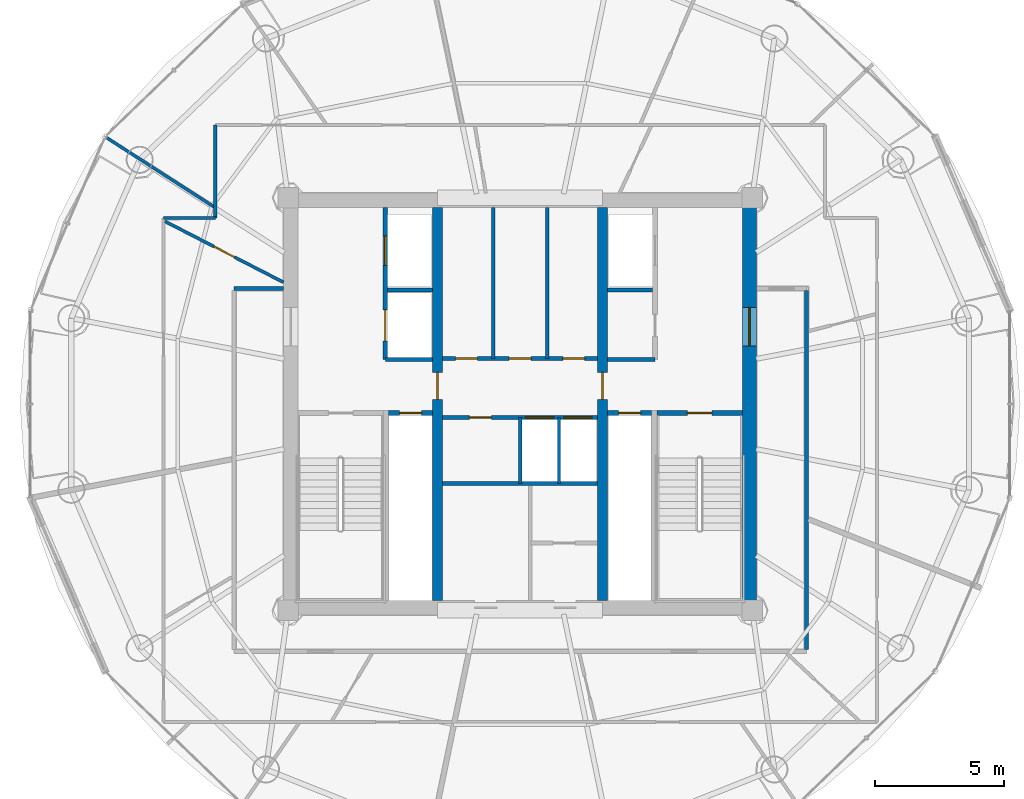
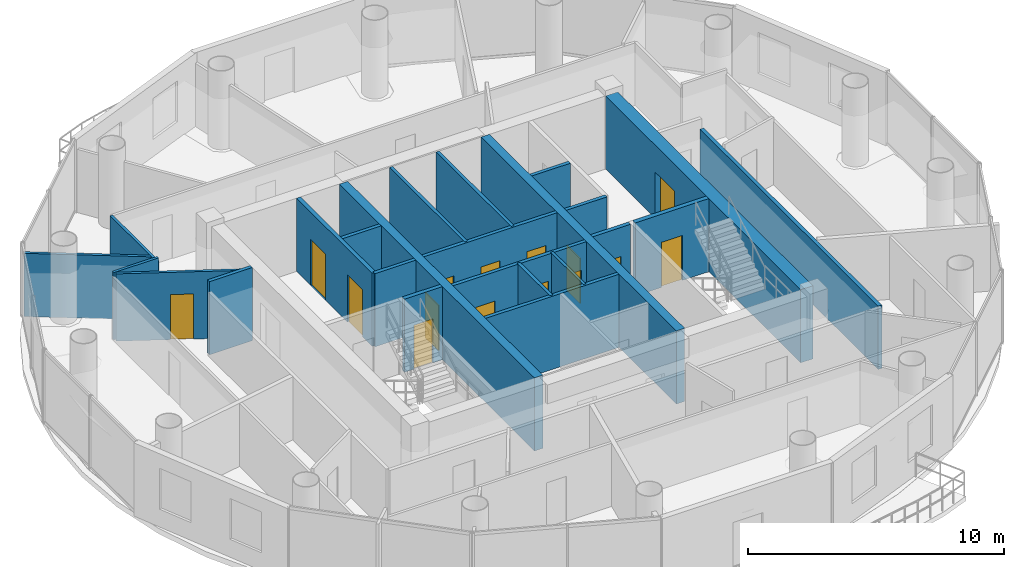
# One storey, part 18 of 23: 24 walls, 15 doors, 15 openings.
"""IFC4 building model written with IfcOpenShell, lengths in metres."""

from ifc_helpers import new_model, si_unit, direction, frame, frame_2d, origin, place, context, subcontext, project, spatial, rectangle, extrude, source, transform, mapped, material, layer, layer_set, type_object, element, fill, save


model = new_model("IFC4")

# Units and contexts
model_context = context("Model", 3, precision=1e-05, world=origin(), true_north=direction((-0.2419218956, 0.970295726276)))
body_context = subcontext(model_context, "Body", "Model", "MODEL_VIEW")
ifc_project = project(units=[si_unit("LENGTHUNIT", "METRE"), si_unit("AREAUNIT", "SQUARE_METRE"), si_unit("VOLUMEUNIT", "CUBIC_METRE"), si_unit("PLANEANGLEUNIT", "RADIAN"), si_unit("MASSUNIT", "GRAM", prefix="KILO")], contexts=[model_context])

# Site, building, storey
site_placement = place(None, origin())
site = spatial("IfcSite", under=ifc_project, at=site_placement, CompositionType="ELEMENT")
building_placement = place(site_placement, origin())
building = spatial("IfcBuilding", under=site, at=building_placement, Name="Cobrevalo Terracotta Tower", CompositionType="ELEMENT")
storey_placement = place(building_placement, frame((0.0, 0.0, 251.949951171875)))
storey = spatial("IfcBuildingStorey", under=building, at=storey_placement, Name="L66", CompositionType="ELEMENT", Elevation=251.949951171875)

# Wall, opening, door
ifc_material_1 = material(Name="Concrete C50", Category="concrete")
ifc_layer_1 = layer(ifc_material_1, 0.550048828125)
ifc_layer_set_1 = layer_set([ifc_layer_1], Name="Concrete C50")
wall_type_1 = type_object("IfcWallType", Name="Core shear wall 550 mm Concrete C50", PredefinedType="SHEAR", material=ifc_layer_set_1)
wall_1_placement = place(storey_placement, frame((46.89990234375, 19.175048828125, 0.0), z_axis=(0.0, 0.0, 1.0), x_axis=(0.0, 1.0, 0.0)))
wall_1 = element("IfcWall", 1, at=wall_1_placement, inside=storey, type_object=wall_type_1, Name="L66 east core shear wall", PredefinedType="SHEAR", context=body_context, shape_type="SweptSolid", body=[
    extrude(rectangle(XDim=15.25, YDim=0.550048828125, at=frame_2d((7.625, 0.0))), origin(), (0.0, 0.0, 1.0), 3.489990234375),
])
opening_1_placement = place(wall_1_placement, frame((9.875, 0.0, 0.0)))
opening_1 = element("IfcOpeningElement", 2, at=opening_1_placement, cuts=wall_1, Name="Opening ID-14", PredefinedType="OPENING", context=body_context, shape_type="SweptSolid", body=[
    extrude(rectangle(XDim=1.5, YDim=2.199951171875, at=frame_2d((0.75, 1.10009765625))), frame((0.0, 0.28515625, 0.0), z_axis=(0.0, -1.0, 0.0), x_axis=(1.0, 0.0, 0.0)), (0.0, 0.0, 1.0), 0.570068359375),
])
ifc_material_2 = material(Name="Galvanized fire-rated steel", Category="steel")
door_type_1 = type_object("IfcDoorType", Name="Core cross-lobby double fire door 1500x2200 EI 90", OperationType="NOTDEFINED", PredefinedType="DOOR", material=ifc_material_2)
shared_shape_1 = source(origin(), body_context, "Body", "SweptSolid", [
    extrude(rectangle(XDim=1.5, YDim=2.199951171875, at=frame_2d((0.75, 1.10009765625))), frame((0.0, 0.02490234375, 0.0), z_axis=(0.0, -1.0, 0.0), x_axis=(1.0, 0.0, 0.0)), (0.0, 0.0, 1.0), 0.050048828125),
])
door_1_placement = place(opening_1_placement, frame((1.5, 0.0, 0.0), z_axis=(0.0, 0.0, 1.0), x_axis=(-1.0, 0.0, 0.0)))
door_1 = element("IfcDoor", 3, at=door_1_placement, inside=storey, type_object=door_type_1, Name="L66 east firefighting lobby entrance door", OperationType="DOUBLE_DOOR_SINGLE_SWING", OverallHeight=2.199951171875, OverallWidth=1.5, PredefinedType="DOOR", context=body_context, shape_type="MappedRepresentation", body=[
    mapped(shared_shape_1, transform((0.0, 0.0, 0.0), scale=1.0)),
])
fill(opening_1, door_1)

# Walls
ifc_material_3 = material(Name="Gypsum board on steel stud", Category="steel")
ifc_layer_2 = layer(ifc_material_3, 0.159912109375)
ifc_layer_set_2 = layer_set([ifc_layer_2], Name="Gypsum board on steel stud")
wall_type_2 = type_object("IfcWallType", Name="Fire-rated corridor acoustic partition wall 160 mm", PredefinedType="PARTITIONING", material=ifc_layer_set_2)
wall_2_placement = place(storey_placement, frame((32.860107421875, 31.219970703125, 0.0), z_axis=(0.0, 0.0, 1.0), x_axis=(1.0, 0.0, 0.0)))
element("IfcWall", 4, at=wall_2_placement, inside=storey, type_object=wall_type_2, Name="L66 interior partition IW-L66-FF1-M", PredefinedType="PARTITIONING", context=body_context, shape_type="SweptSolid", body=[
    extrude(rectangle(XDim=1.75, YDim=0.159912109375, at=frame_2d((0.875, 0.0))), origin(), (0.0, 0.0, 1.0), 3.489990234375),
])
wall_3_placement = place(storey_placement, frame((32.77001953125, 28.52001953125, 0.0), z_axis=(0.0, 0.0, 1.0), x_axis=(1.0, 0.0, 0.0)))
element("IfcWall", 5, at=wall_3_placement, inside=storey, type_object=wall_type_2, Name="L66 interior partition IW-L66-FF1-S", PredefinedType="PARTITIONING", context=body_context, shape_type="SweptSolid", body=[
    extrude(rectangle(XDim=1.840087890625, YDim=0.159912109375, at=frame_2d((0.919921875, 0.0))), origin(), (0.0, 0.0, 1.0), 3.489990234375),
])
wall_4_placement = place(storey_placement, frame((41.389892578125, 31.219970703125, 0.0), z_axis=(0.0, 0.0, 1.0), x_axis=(1.0, 0.0, 0.0)))
element("IfcWall", 6, at=wall_4_placement, inside=storey, type_object=wall_type_2, Name="L66 interior partition IW-L66-FF2-M", PredefinedType="PARTITIONING", context=body_context, shape_type="SweptSolid", body=[
    extrude(rectangle(XDim=1.75, YDim=0.159912109375, at=frame_2d((0.875, 0.0))), origin(), (0.0, 0.0, 1.0), 3.489990234375),
])
wall_5_placement = place(storey_placement, frame((41.389892578125, 28.52001953125, 0.0), z_axis=(0.0, 0.0, 1.0), x_axis=(1.0, 0.0, 0.0)))
element("IfcWall", 7, at=wall_5_placement, inside=storey, type_object=wall_type_2, Name="L66 interior partition IW-L66-FF2-S", PredefinedType="PARTITIONING", context=body_context, shape_type="SweptSolid", body=[
    extrude(rectangle(XDim=1.840087890625, YDim=0.159912109375, at=frame_2d((0.919921875, 0.0))), origin(), (0.0, 0.0, 1.0), 3.489990234375),
])

# Wall, openings, doors
wall_6_placement = place(storey_placement, frame((34.989990234375, 28.56005859375, 0.0), z_axis=(0.0, 0.0, 1.0), x_axis=(1.0, 0.0, 0.0)))
wall_6 = element("IfcWall", 8, at=wall_6_placement, inside=storey, type_object=wall_type_2, Name="L66 interior partition IW-L66-LB-S", PredefinedType="PARTITIONING", context=body_context, shape_type="SweptSolid", body=[
    extrude(rectangle(XDim=6.02001953125, YDim=0.159912109375, at=frame_2d((3.010009765625, 0.0))), origin(), (0.0, 0.0, 1.0), 3.489990234375),
])
opening_2_placement = place(wall_6_placement, frame((0.5048828125, 0.0, 0.0)))
opening_2 = element("IfcOpeningElement", 9, at=opening_2_placement, cuts=wall_6, Name="Opening ID-22", PredefinedType="OPENING", context=body_context, shape_type="SweptSolid", body=[
    extrude(rectangle(XDim=0.85009765625, YDim=2.10009765625, at=frame_2d((0.425048828125, 1.050048828125))), frame((0.0, 0.08984375, 0.0), z_axis=(0.0, -1.0, 0.0), x_axis=(1.0, 0.0, 0.0)), (0.0, 0.0, 1.0), 0.179931640625),
])
opening_3_placement = place(wall_6_placement, frame((2.580078125, 0.0, 0.0)))
opening_3 = element("IfcOpeningElement", 10, at=opening_3_placement, cuts=wall_6, Name="Opening ID-07", PredefinedType="OPENING", context=body_context, shape_type="SweptSolid", body=[
    extrude(rectangle(XDim=0.860107421875, YDim=2.10009765625, at=frame_2d((0.43017578125, 1.050048828125))), frame((0.0, 0.08984375, 0.0), z_axis=(0.0, -1.0, 0.0), x_axis=(1.0, 0.0, 0.0)), (0.0, 0.0, 1.0), 0.179931640625),
])
opening_4_placement = place(wall_6_placement, frame((4.6650390625, 0.0, 0.0)))
opening_4 = element("IfcOpeningElement", 11, at=opening_4_placement, cuts=wall_6, Name="Opening ID-22", PredefinedType="OPENING", context=body_context, shape_type="SweptSolid", body=[
    extrude(rectangle(XDim=0.85009765625, YDim=2.10009765625, at=frame_2d((0.425048828125, 1.050048828125))), frame((0.0, 0.08984375, 0.0), z_axis=(0.0, -1.0, 0.0), x_axis=(1.0, 0.0, 0.0)), (0.0, 0.0, 1.0), 0.179931640625),
])
ifc_material_4 = material(Name="Powder-coated steel", Category="steel")
door_type_2 = type_object("IfcDoorType", Name="Riser shaft & meter closet fire access door 850x2100 EI 60", OperationType="NOTDEFINED", PredefinedType="DOOR", material=ifc_material_4)
shared_shape_2 = source(origin(), body_context, "Body", "SweptSolid", [
    extrude(rectangle(XDim=0.85009765625, YDim=2.10009765625, at=frame_2d((0.425048828125, 1.050048828125))), frame((0.0, 0.02490234375, 0.0), z_axis=(0.0, -1.0, 0.0), x_axis=(1.0, 0.0, 0.0)), (0.0, 0.0, 1.0), 0.050048828125),
])
door_2_placement = place(opening_2_placement, origin())
door_2 = element("IfcDoor", 12, at=door_2_placement, inside=storey, type_object=door_type_2, Name="L66 core service door Housekeeping Linen Store", OperationType="SINGLE_SWING_LEFT", OverallHeight=2.10009765625, OverallWidth=0.85009765625, PredefinedType="DOOR", context=body_context, shape_type="MappedRepresentation", body=[
    mapped(shared_shape_2, transform((0.0, 0.0, 0.0), scale=1.0)),
])
fill(opening_2, door_2)
door_3_placement = place(opening_4_placement, origin())
door_3 = element("IfcDoor", 13, at=door_3_placement, inside=storey, type_object=door_type_2, Name="L66 core service door Floor BMS Mechanical Plant", OperationType="SINGLE_SWING_LEFT", OverallHeight=2.10009765625, OverallWidth=0.85009765625, PredefinedType="DOOR", context=body_context, shape_type="MappedRepresentation", body=[
    mapped(shared_shape_2, transform((0.0, 0.0, 0.0), scale=1.0)),
])
fill(opening_4, door_3)
ifc_material_5 = material(Name="Fire-rated moisture-sealed timber", Category="wood")
door_type_3 = type_object("IfcDoorType", Name="Core & podium fire-rated accessible WC door 860x2100 EI 60", OperationType="NOTDEFINED", PredefinedType="DOOR", material=ifc_material_5)
shared_shape_3 = source(origin(), body_context, "Body", "SweptSolid", [
    extrude(rectangle(XDim=0.860107421875, YDim=2.10009765625, at=frame_2d((0.43017578125, 1.050048828125))), frame((0.0, 0.02490234375, 0.0), z_axis=(0.0, -1.0, 0.0), x_axis=(1.0, 0.0, 0.0)), (0.0, 0.0, 1.0), 0.050048828125),
])
door_4_placement = place(opening_3_placement, origin())
door_4 = element("IfcDoor", 14, at=door_4_placement, inside=storey, type_object=door_type_3, Name="L66 core service door Floor Service Toilet WC", OperationType="SINGLE_SWING_RIGHT", OverallHeight=2.10009765625, OverallWidth=0.860107421875, PredefinedType="DOOR", context=body_context, shape_type="MappedRepresentation", body=[
    mapped(shared_shape_3, transform((0.0, 0.0, 0.0), scale=1.0)),
])
fill(opening_3, door_4)

wall_7_placement = place(storey_placement, frame((34.989990234375, 26.280029296875, 0.0), z_axis=(0.0, 0.0, 1.0), x_axis=(1.0, 0.0, 0.0)))
wall_7 = element("IfcWall", 15, at=wall_7_placement, inside=storey, type_object=wall_type_2, Name="L66 interior partition IW-L66-MB-N", PredefinedType="PARTITIONING", context=body_context, shape_type="SweptSolid", body=[
    extrude(rectangle(XDim=6.02001953125, YDim=0.159912109375, at=frame_2d((3.010009765625, 0.0))), origin(), (0.0, 0.0, 1.0), 3.489990234375),
])
opening_5_placement = place(wall_7_placement, frame((1.044921875, 0.0, 0.0)))
opening_5 = element("IfcOpeningElement", 16, at=opening_5_placement, cuts=wall_7, Name="Opening ID-22", PredefinedType="OPENING", context=body_context, shape_type="SweptSolid", body=[
    extrude(rectangle(XDim=0.85009765625, YDim=2.10009765625, at=frame_2d((0.425048828125, 1.050048828125))), frame((0.0, 0.08984375, 0.0), z_axis=(0.0, -1.0, 0.0), x_axis=(1.0, 0.0, 0.0)), (0.0, 0.0, 1.0), 0.179931640625),
])
opening_6_placement = place(wall_7_placement, frame((3.215087890625, 0.0, 0.0)))
opening_6 = element("IfcOpeningElement", 17, at=opening_6_placement, cuts=wall_7, Name="Opening LD-01", PredefinedType="OPENING", context=body_context, shape_type="SweptSolid", body=[
    extrude(rectangle(XDim=1.10009765625, YDim=2.199951171875, at=frame_2d((0.550048828125, 1.10009765625))), frame((0.0, 0.08984375, 0.0), z_axis=(0.0, -1.0, 0.0), x_axis=(1.0, 0.0, 0.0)), (0.0, 0.0, 1.0), 0.179931640625),
])
opening_7_placement = place(wall_7_placement, frame((4.695068359375, 0.0, 0.0)))
opening_7 = element("IfcOpeningElement", 18, at=opening_7_placement, cuts=wall_7, Name="Opening LD-01", PredefinedType="OPENING", context=body_context, shape_type="SweptSolid", body=[
    extrude(rectangle(XDim=1.10009765625, YDim=2.199951171875, at=frame_2d((0.550048828125, 1.10009765625))), frame((0.0, 0.08984375, 0.0), z_axis=(0.0, -1.0, 0.0), x_axis=(1.0, 0.0, 0.0)), (0.0, 0.0, 1.0), 0.179931640625),
])
door_5_placement = place(opening_5_placement, frame((0.85009765625, 0.0, 0.0), z_axis=(0.0, 0.0, 1.0), x_axis=(-1.0, 0.0, 0.0)))
door_5 = element("IfcDoor", 19, at=door_5_placement, inside=storey, type_object=door_type_2, Name="L66 core room door High-Rise Core Linen and Equipment Store", OperationType="SINGLE_SWING_RIGHT", OverallHeight=2.10009765625, OverallWidth=0.85009765625, PredefinedType="DOOR", context=body_context, shape_type="MappedRepresentation", body=[
    mapped(shared_shape_2, transform((0.0, 0.0, 0.0), scale=1.0)),
])
fill(opening_5, door_5)
ifc_material_6 = material(Name="Brushed stainless steel", Category="steel")
door_type_4 = type_object("IfcDoorType", Name="Passenger lift landing bi-parting sliding door 1100x2200 EI 90", OperationType="DOUBLE_DOOR_SLIDING", PredefinedType="DOOR", material=ifc_material_6)
shared_shape_4 = source(origin(), body_context, "Body", "SweptSolid", [
    extrude(rectangle(XDim=1.10009765625, YDim=2.199951171875, at=frame_2d((0.550048828125, 1.10009765625))), frame((0.0, 0.02490234375, 0.0), z_axis=(0.0, -1.0, 0.0), x_axis=(1.0, 0.0, 0.0)), (0.0, 0.0, 1.0), 0.050048828125),
])
door_6_placement = place(opening_6_placement, origin())
door_6 = element("IfcDoor", 20, at=door_6_placement, inside=storey, type_object=door_type_4, Name="L66 lift landing door PL-H1", OperationType="DOUBLE_DOOR_SLIDING", OverallHeight=2.199951171875, OverallWidth=1.10009765625, PredefinedType="DOOR", context=body_context, shape_type="MappedRepresentation", body=[
    mapped(shared_shape_4, transform((0.0, 0.0, 0.0), scale=1.0)),
])
fill(opening_6, door_6)
door_7_placement = place(opening_7_placement, origin())
door_7 = element("IfcDoor", 21, at=door_7_placement, inside=storey, type_object=door_type_4, Name="L66 lift landing door PL-H2", OperationType="DOUBLE_DOOR_SLIDING", OverallHeight=2.199951171875, OverallWidth=1.10009765625, PredefinedType="DOOR", context=body_context, shape_type="MappedRepresentation", body=[
    mapped(shared_shape_4, transform((0.0, 0.0, 0.0), scale=1.0)),
])
fill(opening_7, door_7)

# Walls
wall_8_placement = place(storey_placement, frame((34.989990234375, 23.719970703125, 0.0), z_axis=(0.0, 0.0, 1.0), x_axis=(1.0, 0.0, 0.0)))
element("IfcWall", 22, at=wall_8_placement, inside=storey, type_object=wall_type_2, Name="L66 interior partition IW-L66-MB-S", PredefinedType="PARTITIONING", context=body_context, shape_type="SweptSolid", body=[
    extrude(rectangle(XDim=6.02001953125, YDim=0.159912109375, at=frame_2d((3.010009765625, 0.0))), origin(), (0.0, 0.0, 1.0), 3.489990234375),
])
wall_9_placement = place(storey_placement, frame((26.89501953125, 31.280029296875, 0.0), z_axis=(0.0, 0.0, 1.0), x_axis=(1.0, 0.0, 0.0)))
element("IfcWall", 23, at=wall_9_placement, inside=storey, type_object=wall_type_2, Name="L66 interior partition IW-L66-COR-WN-CAP", PredefinedType="PARTITIONING", context=body_context, shape_type="SweptSolid", body=[
    extrude(rectangle(XDim=1.929931640625, YDim=0.159912109375, at=frame_2d((0.96484375, 0.0))), origin(), (0.0, 0.0, 1.0), 3.489990234375),
])
wall_10_placement = place(storey_placement, frame((49.10498046875, 17.27490234375, 0.0), z_axis=(0.0, 0.0, 1.0), x_axis=(0.0, 1.0, 0.0)))
element("IfcWall", 24, at=wall_10_placement, inside=storey, type_object=wall_type_2, Name="L66 interior partition IW-L66-COR-E", PredefinedType="PARTITIONING", context=body_context, shape_type="SweptSolid", body=[
    extrude(rectangle(XDim=13.925048828125, YDim=0.159912109375, at=frame_2d((6.96240234375, 0.0))), origin(), (0.0, 0.0, 1.0), 3.01513671875),
])

# Wall, opening, door
ifc_layer_3 = layer(ifc_material_3, 0.179931640625)
ifc_layer_set_3 = layer_set([ifc_layer_3], Name="Gypsum board on steel stud")
wall_type_3 = type_object("IfcWallType", Name="Fire-rated shaft & lobby acoustic partition wall 180 mm", PredefinedType="PARTITIONING", material=ifc_layer_set_3)
wall_11_placement = place(storey_placement, frame((32.89990234375, 26.449951171875, 0.0), z_axis=(0.0, 0.0, 1.0), x_axis=(1.0, 0.0, 0.0)))
wall_11 = element("IfcWall", 25, at=wall_11_placement, inside=storey, type_object=wall_type_3, Name="L66 interior partition IW-L66-RSW-N", PredefinedType="PARTITIONING", context=body_context, shape_type="SweptSolid", body=[
    extrude(rectangle(XDim=1.710205078125, YDim=0.179931640625, at=frame_2d((0.85498046875, 0.0))), origin(), (0.0, 0.0, 1.0), 3.489990234375),
])
opening_8_placement = place(wall_11_placement, frame((0.429931640625, 0.0, 0.0)))
opening_8 = element("IfcOpeningElement", 26, at=opening_8_placement, cuts=wall_11, Name="Opening ID-22", PredefinedType="OPENING", context=body_context, shape_type="SweptSolid", body=[
    extrude(rectangle(XDim=0.85009765625, YDim=2.10009765625, at=frame_2d((0.425048828125, 1.050048828125))), frame((0.0, 0.10009765625, 0.0), z_axis=(0.0, -1.0, 0.0), x_axis=(1.0, 0.0, 0.0)), (0.0, 0.0, 1.0), 0.199951171875),
])
door_8_placement = place(opening_8_placement, origin())
door_8 = element("IfcDoor", 27, at=door_8_placement, inside=storey, type_object=door_type_2, Name="L66 riser access door RSW", OperationType="SINGLE_SWING_LEFT", OverallHeight=2.10009765625, OverallWidth=0.85009765625, PredefinedType="DOOR", context=body_context, shape_type="MappedRepresentation", body=[
    mapped(shared_shape_2, transform((0.0, 0.0, 0.0), scale=1.0)),
])
fill(opening_8, door_8)

wall_12_placement = place(storey_placement, frame((41.389892578125, 26.449951171875, 0.0), z_axis=(0.0, 0.0, 1.0), x_axis=(1.0, 0.0, 0.0)))
wall_12 = element("IfcWall", 28, at=wall_12_placement, inside=storey, type_object=wall_type_3, Name="L66 interior partition IW-L66-RSE-N", PredefinedType="PARTITIONING", context=body_context, shape_type="SweptSolid", body=[
    extrude(rectangle(XDim=1.710205078125, YDim=0.179931640625, at=frame_2d((0.85498046875, 0.0))), origin(), (0.0, 0.0, 1.0), 3.489990234375),
])
opening_9_placement = place(wall_12_placement, frame((0.429931640625, 0.0, 0.0)))
opening_9 = element("IfcOpeningElement", 29, at=opening_9_placement, cuts=wall_12, Name="Opening ID-22", PredefinedType="OPENING", context=body_context, shape_type="SweptSolid", body=[
    extrude(rectangle(XDim=0.85009765625, YDim=2.10009765625, at=frame_2d((0.425048828125, 1.050048828125))), frame((0.0, 0.10009765625, 0.0), z_axis=(0.0, -1.0, 0.0), x_axis=(1.0, 0.0, 0.0)), (0.0, 0.0, 1.0), 0.199951171875),
])
door_9_placement = place(opening_9_placement, origin())
door_9 = element("IfcDoor", 30, at=door_9_placement, inside=storey, type_object=door_type_2, Name="L66 riser access door RSE", OperationType="SINGLE_SWING_RIGHT", OverallHeight=2.10009765625, OverallWidth=0.85009765625, PredefinedType="DOOR", context=body_context, shape_type="MappedRepresentation", body=[
    mapped(shared_shape_2, transform((0.0, 0.0, 0.0), scale=1.0)),
])
fill(opening_9, door_9)

# Wall, openings, doors
wall_13_placement = place(storey_placement, frame((32.77001953125, 28.52001953125, 0.0), z_axis=(0.0, 0.0, 1.0), x_axis=(0.0, 1.0, 0.0)))
wall_13 = element("IfcWall", 31, at=wall_13_placement, inside=storey, type_object=wall_type_3, Name="L66 interior partition IW-L66-FF1-W", PredefinedType="PARTITIONING", context=body_context, shape_type="SweptSolid", body=[
    extrude(rectangle(XDim=5.905029296875, YDim=0.179931640625, at=frame_2d((2.95263671875, 0.0))), origin(), (0.0, 0.0, 1.0), 3.489990234375),
])
opening_10_placement = place(wall_13_placement, frame((3.655029296875, 0.0, 0.0)))
opening_10 = element("IfcOpeningElement", 32, at=opening_10_placement, cuts=wall_13, Name="Opening LD-02", PredefinedType="OPENING", context=body_context, shape_type="SweptSolid", body=[
    extrude(rectangle(XDim=1.14990234375, YDim=2.199951171875, at=frame_2d((0.574951171875, 1.10009765625))), frame((0.0, 0.10009765625, 0.0), z_axis=(0.0, -1.0, 0.0), x_axis=(1.0, 0.0, 0.0)), (0.0, 0.0, 1.0), 0.199951171875),
])
opening_11_placement = place(wall_13_placement, frame((0.72998046875, 0.0, 0.0)))
opening_11 = element("IfcOpeningElement", 33, at=opening_11_placement, cuts=wall_13, Name="Opening LD-03", PredefinedType="OPENING", context=body_context, shape_type="SweptSolid", body=[
    extrude(rectangle(XDim=1.199951171875, YDim=2.25, at=frame_2d((0.60009765625, 1.125))), frame((0.0, 0.10009765625, 0.0), z_axis=(0.0, -1.0, 0.0), x_axis=(1.0, 0.0, 0.0)), (0.0, 0.0, 1.0), 0.199951171875),
])
door_type_5 = type_object("IfcDoorType", Name="Firefighting lift landing bi-parting sliding door 1150x2200 EI 120", OperationType="DOUBLE_DOOR_SLIDING", PredefinedType="DOOR", material=ifc_material_6)
shared_shape_5 = source(origin(), body_context, "Body", "SweptSolid", [
    extrude(rectangle(XDim=1.14990234375, YDim=2.199951171875, at=frame_2d((0.574951171875, 1.10009765625))), frame((0.0, 0.02490234375, 0.0), z_axis=(0.0, -1.0, 0.0), x_axis=(1.0, 0.0, 0.0)), (0.0, 0.0, 1.0), 0.050048828125),
])
door_10_placement = place(opening_10_placement, origin())
door_10 = element("IfcDoor", 34, at=door_10_placement, inside=storey, type_object=door_type_5, Name="L66 lift landing door FF-1", OperationType="DOUBLE_DOOR_SLIDING", OverallHeight=2.199951171875, OverallWidth=1.14990234375, PredefinedType="DOOR", context=body_context, shape_type="MappedRepresentation", body=[
    mapped(shared_shape_5, transform((0.0, 0.0, 0.0), scale=1.0)),
])
fill(opening_10, door_10)
door_type_6 = type_object("IfcDoorType", Name="Service lift landing bi-parting sliding door 1200x2250 EI 120", OperationType="DOUBLE_DOOR_SLIDING", PredefinedType="DOOR", material=ifc_material_6)
shared_shape_6 = source(origin(), body_context, "Body", "SweptSolid", [
    extrude(rectangle(XDim=1.199951171875, YDim=2.25, at=frame_2d((0.60009765625, 1.125))), frame((0.0, 0.02490234375, 0.0), z_axis=(0.0, -1.0, 0.0), x_axis=(1.0, 0.0, 0.0)), (0.0, 0.0, 1.0), 0.050048828125),
])
door_11_placement = place(opening_11_placement, origin())
door_11 = element("IfcDoor", 35, at=door_11_placement, inside=storey, type_object=door_type_6, Name="L66 lift landing door SV-1", OperationType="DOUBLE_DOOR_SLIDING", OverallHeight=2.25, OverallWidth=1.199951171875, PredefinedType="DOOR", context=body_context, shape_type="MappedRepresentation", body=[
    mapped(shared_shape_6, transform((0.0, 0.0, 0.0), scale=1.0)),
])
fill(opening_11, door_11)

# Wall
ifc_material_7 = material(Name="Autoclaved aerated concrete block", Category="concrete")
ifc_layer_4 = layer(ifc_material_7, 0.1201171875)
ifc_layer_set_4 = layer_set([ifc_layer_4], Name="Autoclaved aerated concrete block")
wall_type_4 = type_object("IfcWallType", Name="Fire-rated wet-room & core service partition 120 mm", PredefinedType="PARTITIONING", material=ifc_layer_set_4)
wall_14_placement = place(storey_placement, frame((39.5, 23.719970703125, 0.0), z_axis=(0.0, 0.0, 1.0), x_axis=(0.0, 1.0, 0.0)))
element("IfcWall", 36, at=wall_14_placement, inside=storey, type_object=wall_type_4, Name="L66 interior partition IW-L66-MB-D3", PredefinedType="PARTITIONING", context=body_context, shape_type="SweptSolid", body=[
    extrude(rectangle(XDim=2.56005859375, YDim=0.1201171875, at=frame_2d((1.280029296875, 0.0))), origin(), (0.0, 0.0, 1.0), 3.489990234375),
])

# Wall, opening, door
ifc_layer_5 = layer(ifc_material_1, 0.3798828125)
ifc_layer_set_5 = layer_set([ifc_layer_5], Name="Concrete C50")
wall_type_5 = type_object("IfcWallType", Name="Internal core shear web wall 380 mm Concrete C50", PredefinedType="SHEAR", material=ifc_layer_set_5)
wall_15_placement = place(storey_placement, frame((34.800048828125, 19.175048828125, 0.0), z_axis=(0.0, 0.0, 1.0), x_axis=(0.0, 1.0, 0.0)))
wall_15 = element("IfcWall", 37, at=wall_15_placement, inside=storey, type_object=wall_type_5, Name="L66 internal core shear wall WEB-W", PredefinedType="SHEAR", context=body_context, shape_type="SweptSolid", body=[
    extrude(rectangle(XDim=15.25, YDim=0.3798828125, at=frame_2d((7.625, 0.0))), origin(), (0.0, 0.0, 1.0), 3.489990234375),
])
opening_12_placement = place(wall_15_placement, frame((7.800048828125, 0.0, 0.0)))
opening_12 = element("IfcOpeningElement", 38, at=opening_12_placement, cuts=wall_15, Name="Opening ID-11", PredefinedType="OPENING", context=body_context, shape_type="SweptSolid", body=[
    extrude(rectangle(XDim=1.050048828125, YDim=2.14990234375, at=frame_2d((0.52490234375, 1.074951171875))), frame((0.0, 0.199951171875, 0.0), z_axis=(0.0, -1.0, 0.0), x_axis=(1.0, 0.0, 0.0)), (0.0, 0.0, 1.0), 0.39990234375),
])
door_type_7 = type_object("IfcDoorType", Name="Core concourse cross fire door 1050x2150 EI 90", OperationType="NOTDEFINED", PredefinedType="DOOR", material=ifc_material_2)
shared_shape_7 = source(origin(), body_context, "Body", "SweptSolid", [
    extrude(rectangle(XDim=1.050048828125, YDim=2.14990234375, at=frame_2d((0.52490234375, 1.074951171875))), frame((0.0, 0.02490234375, 0.0), z_axis=(0.0, -1.0, 0.0), x_axis=(1.0, 0.0, 0.0)), (0.0, 0.0, 1.0), 0.050048828125),
])
door_12_placement = place(opening_12_placement, origin())
door_12 = element("IfcDoor", 39, at=door_12_placement, inside=storey, type_object=door_type_7, Name="L66 west core concourse cross door", OperationType="SINGLE_SWING_LEFT", OverallHeight=2.14990234375, OverallWidth=1.050048828125, PredefinedType="DOOR", context=body_context, shape_type="MappedRepresentation", body=[
    mapped(shared_shape_7, transform((0.0, 0.0, 0.0), scale=1.0)),
])
fill(opening_12, door_12)

wall_16_placement = place(storey_placement, frame((41.199951171875, 19.175048828125, 0.0), z_axis=(0.0, 0.0, 1.0), x_axis=(0.0, 1.0, 0.0)))
wall_16 = element("IfcWall", 40, at=wall_16_placement, inside=storey, type_object=wall_type_5, Name="L66 internal core shear wall WEB-E", PredefinedType="SHEAR", context=body_context, shape_type="SweptSolid", body=[
    extrude(rectangle(XDim=15.25, YDim=0.3798828125, at=frame_2d((7.625, 0.0))), origin(), (0.0, 0.0, 1.0), 3.489990234375),
])
opening_13_placement = place(wall_16_placement, frame((7.800048828125, 0.0, 0.0)))
opening_13 = element("IfcOpeningElement", 41, at=opening_13_placement, cuts=wall_16, Name="Opening ID-11", PredefinedType="OPENING", context=body_context, shape_type="SweptSolid", body=[
    extrude(rectangle(XDim=1.050048828125, YDim=2.14990234375, at=frame_2d((0.52490234375, 1.074951171875))), frame((0.0, 0.199951171875, 0.0), z_axis=(0.0, -1.0, 0.0), x_axis=(1.0, 0.0, 0.0)), (0.0, 0.0, 1.0), 0.39990234375),
])
door_13_placement = place(opening_13_placement, frame((1.050048828125, 0.0, 0.0), z_axis=(0.0, 0.0, 1.0), x_axis=(-1.0, 0.0, 0.0)))
door_13 = element("IfcDoor", 42, at=door_13_placement, inside=storey, type_object=door_type_7, Name="L66 east core concourse cross door", OperationType="SINGLE_SWING_RIGHT", OverallHeight=2.14990234375, OverallWidth=1.050048828125, PredefinedType="DOOR", context=body_context, shape_type="MappedRepresentation", body=[
    mapped(shared_shape_7, transform((0.0, 0.0, 0.0), scale=1.0)),
])
fill(opening_13, door_13)

# Walls
ifc_layer_6 = layer(ifc_material_7, 0.139892578125)
ifc_layer_set_6 = layer_set([ifc_layer_6], Name="Autoclaved aerated concrete block")
wall_type_6 = type_object("IfcWallType", Name="Moisture-resistant wet-room & core service partition 140 mm", PredefinedType="PARTITIONING", material=ifc_layer_set_6)
for number, where, z_axis, x_axis, name in (
    (43, (36.949951171875, 28.56005859375, 0.0), (0.0, 0.0, 1.0), (0.0, 1.0, 0.0), "L66 interior partition IW-L66-KVN-A"),
    (44, (39.050048828125, 28.56005859375, 0.0), (0.0, 0.0, 1.0), (0.0, 1.0, 0.0), "L66 interior partition IW-L66-KVN-B"),
):
    element("IfcWall", number, at=place(storey_placement, frame(where, z_axis=z_axis, x_axis=x_axis)), inside=storey, type_object=wall_type_6, Name=name, PredefinedType="PARTITIONING", context=body_context, shape_type="SweptSolid", body=[
        extrude(rectangle(XDim=5.864990234375, YDim=0.139892578125, at=frame_2d((2.9326171875, 0.0))), origin(), (0.0, 0.0, 1.0), 3.489990234375),
    ])
wall_17_placement = place(storey_placement, frame((38.0, 23.719970703125, 0.0), z_axis=(0.0, 0.0, 1.0), x_axis=(0.0, 1.0, 0.0)))
element("IfcWall", 45, at=wall_17_placement, inside=storey, type_object=wall_type_6, Name="L66 interior partition IW-L66-MB-D2", PredefinedType="PARTITIONING", context=body_context, shape_type="SweptSolid", body=[
    extrude(rectangle(XDim=2.56005859375, YDim=0.139892578125, at=frame_2d((1.280029296875, 0.0))), origin(), (0.0, 0.0, 1.0), 3.489990234375),
])
ifc_layer_7 = layer(ifc_material_3, 0.1201171875)
ifc_layer_set_7 = layer_set([ifc_layer_7], Name="Gypsum board on steel stud")
wall_type_7 = type_object("IfcWallType", Name="Residential internal acoustic stud partition 120 mm", PredefinedType="PARTITIONING", material=ifc_layer_set_7)
wall_18_placement = place(storey_placement, frame((24.1650390625, 34.010009765625, 0.0), z_axis=(0.0, 0.0, 1.0), x_axis=(1.0, 0.0, 0.0)))
element("IfcWall", 46, at=wall_18_placement, inside=storey, type_object=wall_type_7, Name="L66 interior partition IW-L66-U1-RING1_0", PredefinedType="PARTITIONING", context=body_context, shape_type="SweptSolid", body=[
    extrude(rectangle(XDim=2.010009765625, YDim=0.1201171875, at=frame_2d((1.0048828125, 0.0))), origin(), (0.0, 0.0, 1.0), 3.208984375),
])
wall_19_placement = place(storey_placement, frame((26.175048828125, 34.010009765625, 0.0), z_axis=(0.0, 0.0, 1.0), x_axis=(0.0, 1.0, 0.0)))
element("IfcWall", 47, at=wall_19_placement, inside=storey, type_object=wall_type_7, Name="L66 interior partition IW-L66-U1-RING2_0", PredefinedType="PARTITIONING", context=body_context, shape_type="SweptSolid", body=[
    extrude(rectangle(XDim=3.614990234375, YDim=0.1201171875, at=frame_2d((1.8076171875, 0.0))), origin(), (0.0, 0.0, 1.0), 3.01513671875),
])
wall_20_placement = place(storey_placement, frame((26.122802734375, 34.44970703125, 0.0), z_axis=(0.0, 0.0, 1.0), x_axis=(-0.840703033126, 0.541496454367, 0.0)))
element("IfcWall", 48, at=wall_20_placement, inside=storey, type_object=wall_type_7, Name="L66 interior partition IW-L66-U1-ORAD3", PredefinedType="PARTITIONING", context=body_context, shape_type="SweptSolid", body=[
    extrude(rectangle(XDim=4.95849609375, YDim=0.1201171875, at=frame_2d((2.479248046875, 0.0))), origin(), (0.0, 0.0, 1.0), 3.01513671875),
])

# Wall, opening, door
wall_21_placement = place(storey_placement, frame((28.824951171875, 31.518310546875, 0.0), z_axis=(0.0, 0.0, 1.0), x_axis=(-0.889305882583, 0.457312854842, 0.0)))
wall_21 = element("IfcWall", 49, at=wall_21_placement, inside=storey, type_object=wall_type_7, Name="L66 interior partition IW-L66-U1-IRAD4", PredefinedType="PARTITIONING", context=body_context, shape_type="SweptSolid", body=[
    extrude(rectangle(XDim=5.177978515625, YDim=0.1201171875, at=frame_2d((2.5888671875, 0.0))), origin(), (0.0, 0.0, 1.0), 3.208984375),
])
opening_14_placement = place(wall_21_placement, frame((2.138916015625, 0.0, 0.0)))
opening_14 = element("IfcOpeningElement", 50, at=opening_14_placement, cuts=wall_21, Name="Opening ID-12", PredefinedType="OPENING", context=body_context, shape_type="SweptSolid", body=[
    extrude(rectangle(XDim=0.89990234375, YDim=2.14990234375, at=frame_2d((0.449951171875, 1.074951171875))), frame((0.0, 0.070068359375, 0.0), z_axis=(0.0, -1.0, 0.0), x_axis=(1.0, 0.0, 0.0)), (0.0, 0.0, 1.0), 0.14013671875),
])
ifc_material_8 = material(Name="Engineered timber", Category="wood")
door_type_8 = type_object("IfcDoorType", Name="Internal residence & suite timber door 900x2150", OperationType="NOTDEFINED", PredefinedType="DOOR", material=ifc_material_8)
shared_shape_8 = source(origin(), body_context, "Body", "SweptSolid", [
    extrude(rectangle(XDim=0.89990234375, YDim=2.14990234375, at=frame_2d((0.449951171875, 1.074951171875))), frame((0.0, 0.02490234375, 0.0), z_axis=(0.0, -1.0, 0.0), x_axis=(1.0, 0.0, 0.0)), (0.0, 0.0, 1.0), 0.050048828125),
])
door_14_placement = place(opening_14_placement, origin())
door_14 = element("IfcDoor", 51, at=door_14_placement, inside=storey, type_object=door_type_8, Name="Flat L66A Private Cinema Lounge internal door", OperationType="SINGLE_SWING_RIGHT", OverallHeight=2.14990234375, OverallWidth=0.89990234375, PredefinedType="DOOR", context=body_context, shape_type="MappedRepresentation", body=[
    mapped(shared_shape_8, transform((0.0, 0.0, 0.0), scale=1.0)),
])
fill(opening_14, door_14)

ifc_layer_8 = layer(ifc_material_1, 0.199951171875)
ifc_layer_set_8 = layer_set([ifc_layer_8], Name="Concrete C50")
wall_type_8 = type_object("IfcWallType", Name="Structural core & podium stair-shaft RC wall 200 mm Concrete C50", PredefinedType="SOLIDWALL", material=ifc_layer_set_8)
wall_22_placement = place(storey_placement, frame((43.304931640625, 26.449951171875, 0.0), z_axis=(0.0, 0.0, 1.0), x_axis=(1.0, 0.0, 0.0)))
wall_22 = element("IfcWall", 52, at=wall_22_placement, inside=storey, type_object=wall_type_8, Name="L66 ST-2 north structural shaft wall", PredefinedType="SOLIDWALL", context=body_context, shape_type="SweptSolid", body=[
    extrude(rectangle(XDim=3.320068359375, YDim=0.199951171875, at=frame_2d((1.66015625, 0.0))), origin(), (0.0, 0.0, 1.0), 3.489990234375),
])
opening_15_placement = place(wall_22_placement, frame((1.18505859375, 0.0, 0.0)))
opening_15 = element("IfcOpeningElement", 53, at=opening_15_placement, cuts=wall_22, Name="Opening ID-04", PredefinedType="OPENING", context=body_context, shape_type="SweptSolid", body=[
    extrude(rectangle(XDim=0.949951171875, YDim=2.14990234375, at=frame_2d((0.47509765625, 1.074951171875))), frame((0.0, 0.10986328125, 0.0), z_axis=(0.0, -1.0, 0.0), x_axis=(1.0, 0.0, 0.0)), (0.0, 0.0, 1.0), 0.219970703125),
])
door_type_9 = type_object("IfcDoorType", Name="Stair & firefighting lobby fire door 950x2150 EI 90", OperationType="NOTDEFINED", PredefinedType="DOOR", material=ifc_material_2)
shared_shape_9 = source(origin(), body_context, "Body", "SweptSolid", [
    extrude(rectangle(XDim=0.949951171875, YDim=2.14990234375, at=frame_2d((0.47509765625, 1.074951171875))), frame((0.0, 0.02490234375, 0.0), z_axis=(0.0, -1.0, 0.0), x_axis=(1.0, 0.0, 0.0)), (0.0, 0.0, 1.0), 0.050048828125),
])
door_15_placement = place(opening_15_placement, frame((0.949951171875, 0.0, 0.0), z_axis=(0.0, 0.0, 1.0), x_axis=(-1.0, 0.0, 0.0)))
door_15 = element("IfcDoor", 54, at=door_15_placement, inside=storey, type_object=door_type_9, Name="L66 protected stair ST2 fire door", OperationType="SINGLE_SWING_RIGHT", OverallHeight=2.14990234375, OverallWidth=0.949951171875, PredefinedType="DOOR", context=body_context, shape_type="MappedRepresentation", body=[
    mapped(shared_shape_9, transform((0.0, 0.0, 0.0), scale=1.0)),
])
fill(opening_15, door_15)

save(model, "model.ifc")
